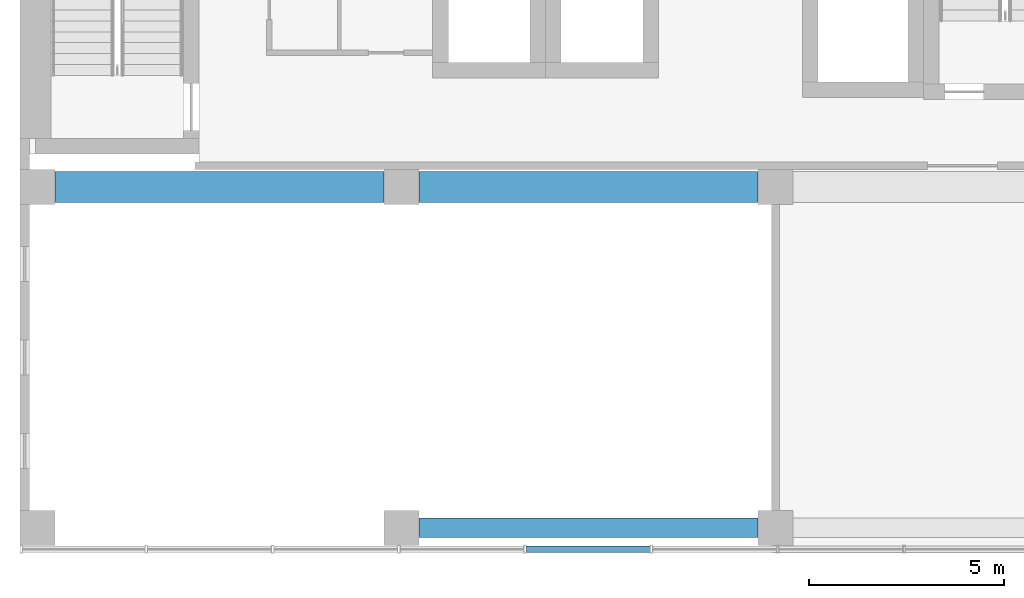
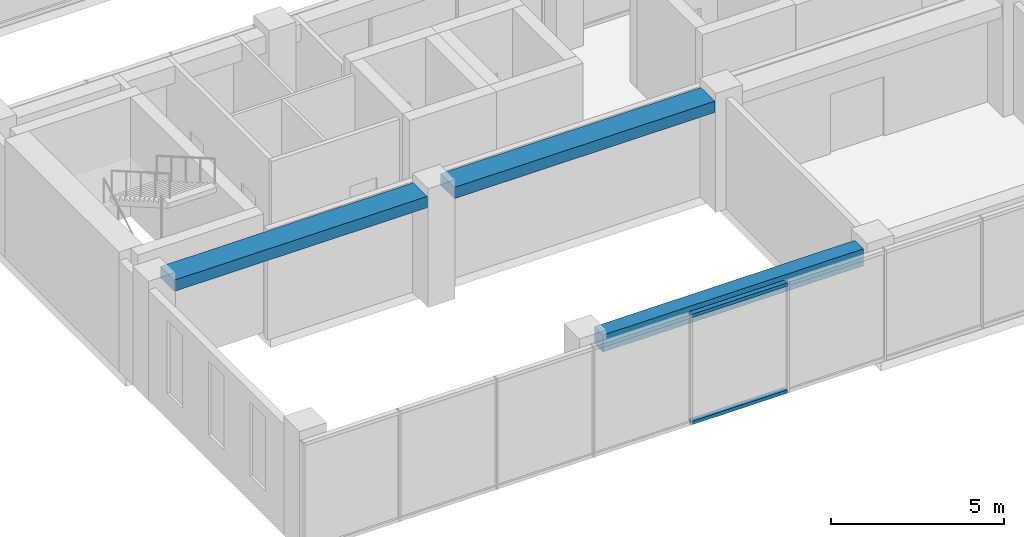
# One storey, part 3 of 37: 3 beams, 2 members, 1 element without a shape of its own.
"""IFC4 building model written with IfcOpenShell, lengths in metres."""

from ifc_helpers import new_model, si_unit, direction, frame, origin, origin_2d, place, context, subcontext, project, spatial, rectangle, hollow_rectangle, extrude, material, layer, layer_set, material_profile, profile_set, type_object, element, aggregate, save


model = new_model("IFC4")

# Units and contexts
model_context = context("Model", 3, precision=1e-05, world=origin(), true_north=direction((0.0, 1.0)))
body_context = subcontext(model_context, "Body", "Model", "MODEL_VIEW")
ifc_project = project(units=[si_unit("LENGTHUNIT", "METRE"), si_unit("AREAUNIT", "SQUARE_METRE"), si_unit("VOLUMEUNIT", "CUBIC_METRE"), si_unit("PLANEANGLEUNIT", "RADIAN"), si_unit("MASSUNIT", "GRAM", prefix="KILO")], contexts=[model_context])

# Site, building, storey
site_placement = place(None, origin())
site = spatial("IfcSite", under=ifc_project, at=site_placement, CompositionType="ELEMENT")
building_placement = place(site_placement, origin())
building = spatial("IfcBuilding", under=site, at=building_placement, Name="Nzadi Deep Aquarium and Research Tower", CompositionType="ELEMENT")
storey_placement = place(building_placement, frame((0.0, 0.0, 61.300048828125)))
storey = spatial("IfcBuildingStorey", under=building, at=storey_placement, Name="L12", CompositionType="ELEMENT", Elevation=61.300048828125)

# Beams
ifc_material_1 = material(Name="Concrete C35/45", Category="concrete")
ifc_material_profile_1 = material_profile(ifc_material_1, rectangle(XDim=0.5, YDim=0.60009765625, at=origin_2d()))
ifc_profile_set_1 = profile_set([ifc_material_profile_1], Name="Concrete C35/45")
beam_type_1 = type_object("IfcBeamType", Name="RC 500x600", PredefinedType="BEAM", material=ifc_profile_set_1)
beam_1_placement = place(storey_placement, frame((10.050048828125, 0.449951171875, 3.599853515625), z_axis=(1.0, 0.0, 0.0), x_axis=(0.0, 1.0, 0.0)))
element("IfcBeam", 1, at=beam_1_placement, inside=storey, type_object=beam_type_1, Name="B-Z1-L12-L1-2", PredefinedType="BEAM", context=body_context, shape_type="SweptSolid", body=[
    extrude(rectangle(XDim=0.5, YDim=0.60009765625, at=origin_2d()), origin(), (0.0, 0.0, 1.0), 8.699951171875),
])
ifc_material_2 = material(Name="Concrete C35/45", Category="concrete")
ifc_material_profile_2 = material_profile(ifc_material_2, rectangle(XDim=0.800048828125, YDim=0.39990234375, at=origin_2d()))
ifc_profile_set_2 = profile_set([ifc_material_profile_2], Name="Concrete C35/45")
beam_type_2 = type_object("IfcBeamType", Name="RC 800x400", PredefinedType="BEAM", material=ifc_profile_set_2)
beam_2_placement = place(storey_placement, frame((0.699951171875, 9.199951171875, 3.699951171875), z_axis=(1.0, 0.0, 0.0), x_axis=(0.0, 1.0, 0.0)))
element("IfcBeam", 2, at=beam_2_placement, inside=storey, type_object=beam_type_2, Name="B-Z1-L12-L2-1", PredefinedType="BEAM", context=body_context, shape_type="SweptSolid", body=[
    extrude(rectangle(XDim=0.800048828125, YDim=0.39990234375, at=origin_2d()), origin(), (0.0, 0.0, 1.0), 8.449951171875),
])
beam_3_placement = place(storey_placement, frame((10.050048828125, 9.199951171875, 3.699951171875), z_axis=(1.0, 0.0, 0.0), x_axis=(0.0, 1.0, 0.0)))
element("IfcBeam", 3, at=beam_3_placement, inside=storey, type_object=beam_type_2, Name="B-Z1-L12-L2-2", PredefinedType="BEAM", context=body_context, shape_type="SweptSolid", body=[
    extrude(rectangle(XDim=0.800048828125, YDim=0.39990234375, at=origin_2d()), origin(), (0.0, 0.0, 1.0), 8.699951171875),
])

# Curtain wall, members
ifc_material_3 = material(Name="Aluminium unitised frame", Category="aluminium")
ifc_layer = layer(ifc_material_3, 0.199951171875)
ifc_layer_set = layer_set([ifc_layer], Name="Aluminium unitised frame")
curtain_wall_type = type_object("IfcCurtainWallType", Name="Curtain wall Unitised 200", PredefinedType="NOTDEFINED", material=ifc_layer_set)
curtain_wall_placement = place(storey_placement, origin())
curtain_wall = element("IfcCurtainWall", 4, at=curtain_wall_placement, inside=storey, type_object=curtain_wall_type, Name="Unitised curtain wall blade A south L12", PredefinedType="NOTDEFINED")
ifc_material_4 = material(Name="Aluminium unitised frame", Category="aluminium")
ifc_material_profile_3 = material_profile(ifc_material_4, hollow_rectangle(XDim=0.159912109375, YDim=0.1201171875, WallThickness=0.0048828125, at=origin_2d()))
ifc_profile_set_3 = profile_set([ifc_material_profile_3], Name="Aluminium unitised frame")
member_type = type_object("IfcMemberType", Name="Transom 120x160 Unitised", PredefinedType="MULLION", material=ifc_profile_set_3)
member_1_placement = place(storey_placement, frame((12.80322265625, -0.10009765625, 0.06005859375), z_axis=(1.0, 0.0, 0.0), x_axis=(0.0, 1.0, 0.0)))
member_1 = element("IfcMember", 5, at=member_1_placement, type_object=member_type, Name="CW050 transom 5.1", PredefinedType="MULLION", context=body_context, shape_type="SweptSolid", body=[
    extrude(hollow_rectangle(XDim=0.159912109375, YDim=0.1201171875, WallThickness=0.0048828125, at=origin_2d()), origin(), (0.0, 0.0, 1.0), 3.183349609375),
])
member_2_placement = place(storey_placement, frame((12.80322265625, -0.10009765625, 3.83984375), z_axis=(1.0, 0.0, 0.0), x_axis=(0.0, 1.0, 0.0)))
member_2 = element("IfcMember", 6, at=member_2_placement, type_object=member_type, Name="CW050 transom 5.2", PredefinedType="MULLION", context=body_context, shape_type="SweptSolid", body=[
    extrude(hollow_rectangle(XDim=0.159912109375, YDim=0.1201171875, WallThickness=0.0048828125, at=origin_2d()), origin(), (0.0, 0.0, 1.0), 3.183349609375),
])
aggregate(curtain_wall, [member_1, member_2])

save(model, "model.ifc")
